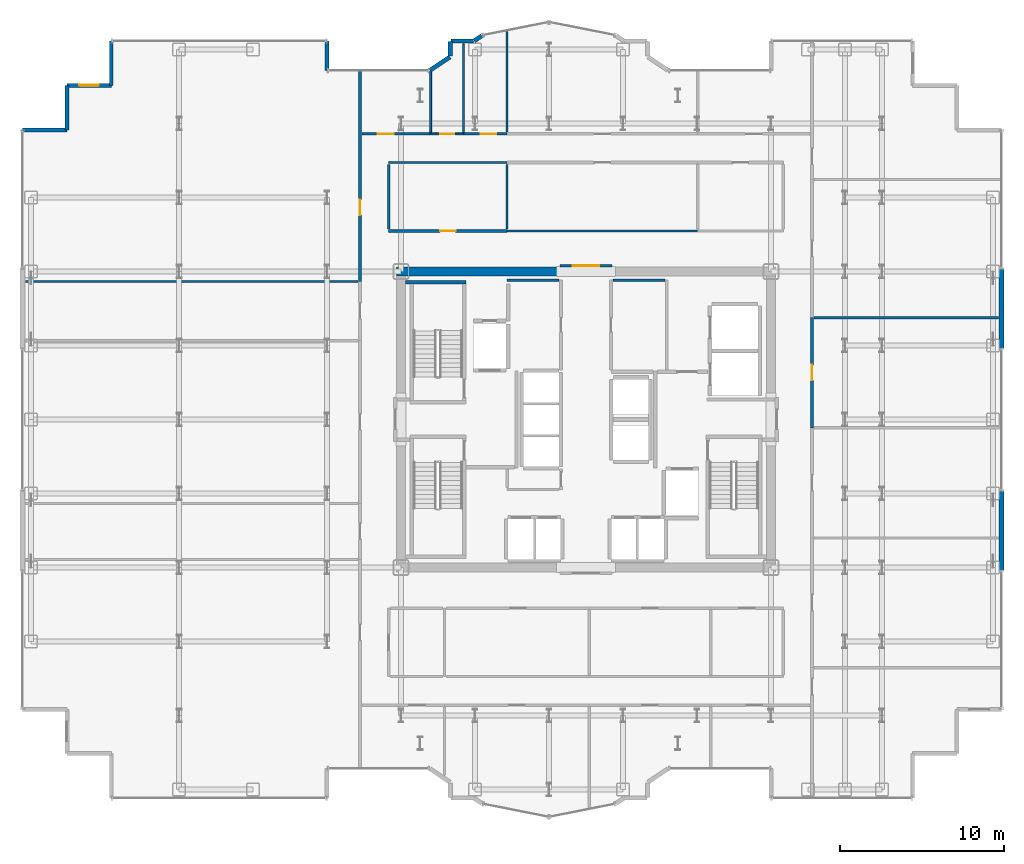
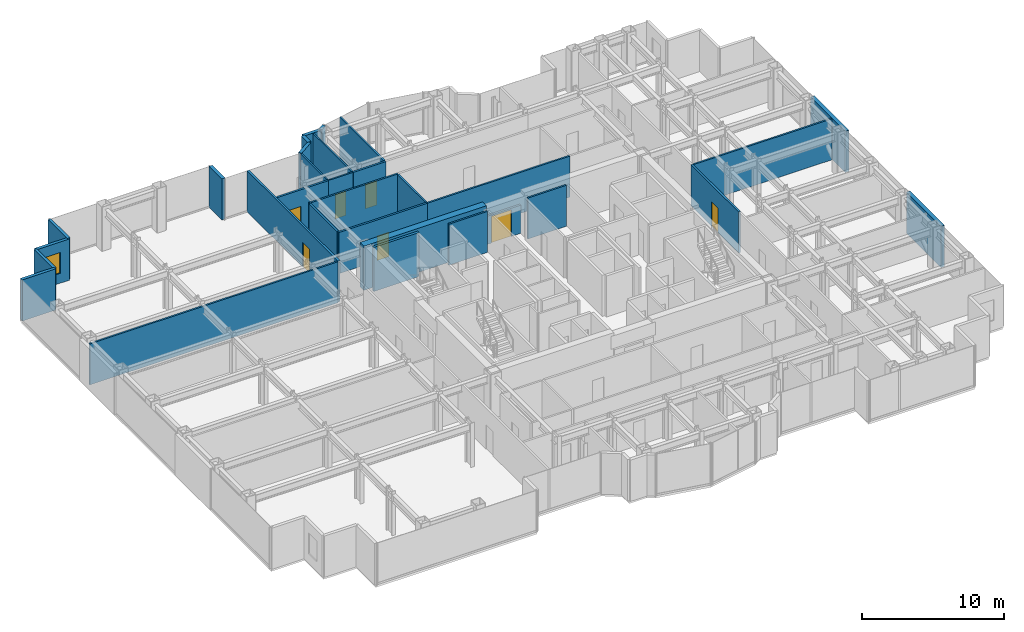
# One storey, part 24 of 26: 31 walls, 7 doors, 1 window, 8 openings.
"""IFC4 building model written with IfcOpenShell, lengths in metres."""

import ifcopenshell
import ifcopenshell.guid

model = None  # the IFC model being written
_history = None  # IfcOwnerHistory: only IFC2X3 demands one
_inside = {}  # id of a spatial element -> (the spatial element, [elements in it])
_under = {}  # id of a project, library or spatial element -> (it, [spatial elements below it])
_declared = {}  # id of a project -> (the project, [libraries it declares])
_typed = {}  # id of a type object -> (the type object, [elements of that type])
_made_of = {}  # id of a material, layer set ... -> (it, [elements and type objects made of it])


def new_model(schema):
    """Start an empty IFC model of exactly this schema.

    Asked for "IFC4X3", IfcOpenShell would pick the latest addendum, in which some entities
    have other attributes; the version numbers below select the first issue.
    IFC2X3 requires an IfcOwnerHistory on every rooted entity: one is made here for all.
    """
    global model, _history
    if schema == "IFC4X3":
        model = ifcopenshell.file(schema_version=(4, 3, 0, 0))
    else:
        model = ifcopenshell.file(schema=schema)
    _inside.clear()
    _under.clear()
    _declared.clear()
    _typed.clear()
    _made_of.clear()
    _history = None
    if model.schema == "IFC2X3":
        org = make("IfcOrganization", Name="unknown")
        user = make(
            "IfcPersonAndOrganization",
            ThePerson=make("IfcPerson", FamilyName="unknown"),
            TheOrganization=org,
        )
        app = make(
            "IfcApplication",
            ApplicationDeveloper=org,
            Version="unknown",
            ApplicationFullName="unknown",
            ApplicationIdentifier="unknown",
        )
        _history = make(
            "IfcOwnerHistory",
            OwningUser=user,
            OwningApplication=app,
            ChangeAction="ADDED",
            CreationDate=0,
        )
    return model


def make(cls, **values):
    """One entity of the class cls with the attributes given. An attribute that is None is left unset."""
    return model.create_entity(
        cls, **{name: value for name, value in values.items() if value is not None}
    )


def rooted(cls, **values):
    """An entity with a GlobalId (a new one), such as an element, a storey or a relation."""
    return make(cls, GlobalId=ifcopenshell.guid.new(), OwnerHistory=_history, **values)


def si_unit(unit_type, name, prefix=None):
    """IfcSIUnit, for example si_unit("LENGTHUNIT", "METRE", prefix="MILLI")."""
    return make("IfcSIUnit", UnitType=unit_type, Prefix=prefix, Name=name)


def assignment(units):
    """IfcUnitAssignment: the units of a project."""
    return None if units is None else make("IfcUnitAssignment", Units=units)


def point(xyz):
    """IfcCartesianPoint."""
    return None if xyz is None else make("IfcCartesianPoint", Coordinates=xyz)


def direction(xyz):
    """IfcDirection."""
    return None if xyz is None else make("IfcDirection", DirectionRatios=xyz)


def frame(location, z_axis=None, x_axis=None):
    """IfcAxis2Placement3D, a coordinate frame: its origin and axes. An axis left out is left unset."""
    return make(
        "IfcAxis2Placement3D",
        Location=point(location),
        Axis=direction(z_axis),
        RefDirection=direction(x_axis),
    )


def frame_2d(location, x_axis=None):
    """IfcAxis2Placement2D, a coordinate frame in the plane: its origin and x axis."""
    return make(
        "IfcAxis2Placement2D", Location=point(location), RefDirection=direction(x_axis)
    )


def origin():
    """The frame at (0, 0, 0) with its axes left unset."""
    return frame((0.0, 0.0, 0.0))


def place(relative_to, where):
    """IfcLocalPlacement: puts the frame where relative to a parent placement (None: the world)."""
    return make(
        "IfcLocalPlacement", PlacementRelTo=relative_to, RelativePlacement=where
    )


def context(
    kind, dimensions, precision=None, world=None, true_north=None, identifier=None
):
    """IfcGeometricRepresentationContext, for example the 3D "Model" context."""
    return make(
        "IfcGeometricRepresentationContext",
        ContextIdentifier=identifier,
        ContextType=kind,
        CoordinateSpaceDimension=dimensions,
        Precision=precision,
        WorldCoordinateSystem=world,
        TrueNorth=true_north,
    )


def subcontext(parent, identifier, kind, view, scale=None):
    """IfcGeometricRepresentationSubContext, for example "Body" below "Model"."""
    return make(
        "IfcGeometricRepresentationSubContext",
        ContextIdentifier=identifier,
        ContextType=kind,
        ParentContext=parent,
        TargetScale=scale,
        TargetView=view,
    )


def project(units=None, contexts=None):
    """IfcProject with its units and contexts."""
    return rooted(
        "IfcProject",
        Name="project",
        RepresentationContexts=contexts,
        UnitsInContext=assignment(units),
    )


def spatial(cls, under=None, at=None, **own):
    """A site, building, storey or space (cls), placed at a placement, below another one or the project."""
    s = rooted(cls, ObjectPlacement=at, **own)
    if under is not None:
        _under.setdefault(under.id(), (under, []))[1].append(s)
    return s


def profile(cls, at=None, kind="AREA", **sizes):
    """A parametric profile (cls). Its sizes go by their IFC names, for example OverallWidth=200.0."""
    return make(cls, ProfileType=kind, Position=at, **sizes)


def rectangle(**sizes):
    """IfcRectangleProfileDef."""
    return profile("IfcRectangleProfileDef", **sizes)


def extrude(swept, where, along, depth):
    """IfcExtrudedAreaSolid: the profile swept, set in the frame where, extruded along a direction by depth."""
    return make(
        "IfcExtrudedAreaSolid",
        SweptArea=swept,
        Position=where,
        ExtrudedDirection=direction(along),
        Depth=depth,
    )


def shape(context_of_items, identifier, shape_type, items):
    """IfcShapeRepresentation: the items that make up one representation, for example the "Body"."""
    return make(
        "IfcShapeRepresentation",
        ContextOfItems=context_of_items,
        RepresentationIdentifier=identifier,
        RepresentationType=shape_type,
        Items=items,
    )


def source(mapping_origin, context_of_items, identifier, shape_type, items):
    """IfcRepresentationMap: a shape defined once, which mapped items show again and again."""
    return make(
        "IfcRepresentationMap",
        MappingOrigin=mapping_origin,
        MappedRepresentation=shape(context_of_items, identifier, shape_type, items),
    )


def transform(
    local_origin,
    x_axis=None,
    y_axis=None,
    z_axis=None,
    scale=None,
    scale2=None,
    scale3=None,
    uniform=True,
):
    """IfcCartesianTransformationOperator3D, or its non-uniform kind. x_axis, y_axis, z_axis: its Axis1, 2, 3."""
    if uniform:
        return make(
            "IfcCartesianTransformationOperator3D",
            Axis1=direction(x_axis),
            Axis2=direction(y_axis),
            LocalOrigin=point(local_origin),
            Scale=scale,
            Axis3=direction(z_axis),
        )
    return make(
        "IfcCartesianTransformationOperator3DnonUniform",
        Axis1=direction(x_axis),
        Axis2=direction(y_axis),
        LocalOrigin=point(local_origin),
        Scale=scale,
        Axis3=direction(z_axis),
        Scale2=scale2,
        Scale3=scale3,
    )


def mapped(mapping_source, mapping_target):
    """IfcMappedItem: shows the shape of a source again, moved by a transform."""
    return make(
        "IfcMappedItem", MappingSource=mapping_source, MappingTarget=mapping_target
    )


def material(Name=None, Category=None):
    """IfcMaterial."""
    return make("IfcMaterial", Name=Name, Category=Category)


def layer(
    of_material, thickness, ventilated=None, Name=None, Category=None, Priority=None
):
    """IfcMaterialLayer: one layer of a wall or slab, of a material (None: an air gap)."""
    return make(
        "IfcMaterialLayer",
        Material=of_material,
        LayerThickness=thickness,
        IsVentilated=ventilated,
        Name=Name,
        Category=Category,
        Priority=Priority,
    )


def layer_set(layers, Name=None):
    """IfcMaterialLayerSet."""
    return make("IfcMaterialLayerSet", MaterialLayers=layers, LayerSetName=Name)


def made_of(thing, what):
    """Note that an element or type object is made of a material, layer set ...; save() writes the relation."""
    if what is not None:
        _made_of.setdefault(what.id(), (what, []))[1].append(thing)
    return thing


def type_object(cls, material=None, **own):
    """A type object (cls), such as IfcWallType, which elements share."""
    return made_of(rooted(cls, **own), material)


def element(
    cls,
    number,
    at=None,
    inside=None,
    cuts=None,
    type_object=None,
    material=None,
    context=None,
    identifier="Body",
    shape_type=None,
    held_by="IfcProductDefinitionShape",
    body=None,
    shapes=None,
    **own,
):
    """One element of the class cls, such as IfcWall. Its Tag is "e" and its number.

    at: its placement. inside: the storey or other place that contains it. cuts: it is an
    opening in that element (IfcRelVoidsElement). A single representation is given by context,
    identifier, shape_type and body (its items); several are given by shapes. held_by: the class
    of the entity that holds the representations. save() writes the other relations.
    """
    e = rooted(cls, Tag="e%d" % number, ObjectPlacement=at, **own)
    if body is not None:
        shapes = [shape(context, identifier, shape_type, body)]
    if shapes is not None:
        e.Representation = make(held_by, Representations=shapes)
    if inside is not None:
        _inside.setdefault(inside.id(), (inside, []))[1].append(e)
    if cuts is not None:
        rooted(
            "IfcRelVoidsElement", RelatingBuildingElement=cuts, RelatedOpeningElement=e
        )
    if type_object is not None:
        _typed.setdefault(type_object.id(), (type_object, []))[1].append(e)
    return made_of(e, material)


def fill(opening, filler):
    """IfcRelFillsElement: the door or window that sits in an opening."""
    return rooted(
        "IfcRelFillsElement",
        RelatingOpeningElement=opening,
        RelatedBuildingElement=filler,
    )


def aggregate(whole, parts):
    """IfcRelAggregates: a whole, such as a stair, and the parts it consists of."""
    return rooted("IfcRelAggregates", RelatingObject=whole, RelatedObjects=parts)


def save(model, path):
    """Write the relations noted so far, then the file.

    IfcRelAggregates (storeys below a building ...), IfcRelContainedInSpatialStructure (elements
    in a storey), IfcRelDefinesByType, IfcRelAssociatesMaterial and IfcRelDeclares: one each for
    every whole, place, type object, material and project.
    """
    for whole, parts in _under.values():
        aggregate(whole, parts)
    for where, things in _inside.values():
        rooted(
            "IfcRelContainedInSpatialStructure",
            RelatedElements=things,
            RelatingStructure=where,
        )
    for kind, things in _typed.values():
        rooted("IfcRelDefinesByType", RelatedObjects=things, RelatingType=kind)
    for what, things in _made_of.values():
        rooted("IfcRelAssociatesMaterial", RelatedObjects=things, RelatingMaterial=what)
    for by, libraries in _declared.values():
        rooted("IfcRelDeclares", RelatingContext=by, RelatedDefinitions=libraries)
    model.write(path)


model = new_model("IFC4")

# Units and contexts
model_context = context("Model", 3, precision=1e-05, world=origin(), true_north=direction((0.0, 1.0)))
body_context = subcontext(model_context, "Body", "Model", "MODEL_VIEW")
ifc_project = project(units=[si_unit("LENGTHUNIT", "METRE"), si_unit("AREAUNIT", "SQUARE_METRE"), si_unit("VOLUMEUNIT", "CUBIC_METRE"), si_unit("PLANEANGLEUNIT", "RADIAN"), si_unit("MASSUNIT", "GRAM", prefix="KILO")], contexts=[model_context])

# Site, building, storey
site_placement = place(None, origin())
site = spatial("IfcSite", under=ifc_project, at=site_placement, CompositionType="ELEMENT")
building_placement = place(site_placement, origin())
building = spatial("IfcBuilding", under=site, at=building_placement, Name="Nefas-Gora Pilgrimage Tower", CompositionType="ELEMENT")
storey_placement = place(building_placement, frame((0.0, 0.0, 160.199951171875)))
storey = spatial("IfcBuildingStorey", under=building, at=storey_placement, Name="L39", CompositionType="ELEMENT", Elevation=160.199951171875)

# Walls
ifc_material_1 = material(Name="Concrete C60/75", Category="concrete")
ifc_layer_1 = layer(ifc_material_1, 0.550048828125)
ifc_layer_set_1 = layer_set([ifc_layer_1], Name="Concrete C60/75")
wall_type_1 = type_object("IfcWallType", Name="SW-CORE-550", PredefinedType="SHEAR", material=ifc_layer_set_1)
shared_shape_1 = source(origin(), body_context, "Body", "SweptSolid", [
    extrude(rectangle(XDim=9.974853515625, YDim=0.550048828125, at=frame_2d((4.9873046875, 0.0))), origin(), (0.0, 0.0, 1.0), 3.800048828125),
])
wall_1_placement = place(storey_placement, frame((-11.52490234375, 9.0, 0.0), z_axis=(0.0, 0.0, 1.0), x_axis=(1.0, 0.0, 0.0)))
element("IfcWall", 1, at=wall_1_placement, inside=storey, type_object=wall_type_1, Name="L39 Core Shear Wall N-West", PredefinedType="SHEAR", context=body_context, shape_type="MappedRepresentation", body=[
    mapped(shared_shape_1, transform((0.0, 0.0, 0.0), x_axis=(1.0, 0.0, 0.0), y_axis=(0.0, 1.0, 0.0), z_axis=(0.0, 0.0, 1.0), scale=1.0)),
])
ifc_material_2 = material(Name="Precast concrete C45/55", Category="concrete")
ifc_layer_2 = layer(ifc_material_2, 0.239990234375)
ifc_layer_set_2 = layer_set([ifc_layer_2], Name="Precast concrete C45/55")
wall_type_2 = type_object("IfcWallType", Name="EW-SERR-240", PredefinedType="SHEAR", material=ifc_layer_set_2)
shared_shape_2 = source(origin(), body_context, "Body", "SweptSolid", [
    extrude(rectangle(XDim=4.8798828125, YDim=0.300048828125, at=frame_2d((2.43994140625, 0.0))), origin(), (0.0, 0.0, 1.0), 3.550048828125),
])
for number, where, z_axis, x_axis, name in (
    (2, (25.27001953125, -9.18994140625, 0.0), (0.0, 0.0, 1.0), (0.0, 1.0, 0.0), "L39 Braced-Tube Precast Shear Cladding 3"),
    (3, (25.27001953125, 4.31005859375, 0.0), (0.0, 0.0, 1.0), (0.0, 1.0, 0.0), "L39 Braced-Tube Precast Shear Cladding 4"),
):
    element("IfcWall", number, at=place(storey_placement, frame(where, z_axis=z_axis, x_axis=x_axis)), inside=storey, type_object=wall_type_2, Name=name, PredefinedType="SHEAR", context=body_context, shape_type="MappedRepresentation", body=[
        mapped(shared_shape_2, transform((0.0, 0.0, 0.0), x_axis=(1.0, 0.0, 0.0), y_axis=(0.0, 1.0, 0.0), z_axis=(0.0, 0.0, 1.0), scale=1.0)),
    ])
ifc_material_3 = material(Name="Precast concrete C40/50", Category="concrete")
ifc_layer_3 = layer(ifc_material_3, 0.260009765625)
ifc_layer_set_3 = layer_set([ifc_layer_3], Name="Precast concrete C40/50")
wall_type_3 = type_object("IfcWallType", Name="EW-PORTAL-260", PredefinedType="SOLIDWALL", material=ifc_layer_set_3)
shared_shape_3 = source(origin(), body_context, "Body", "SweptSolid", [
    extrude(rectangle(XDim=1.800048828125, YDim=0.260009765625, at=frame_2d((0.89990234375, 0.0))), origin(), (0.0, 0.0, 1.0), 3.550048828125),
])
wall_2_placement = place(storey_placement, frame((-15.75, 21.219970703125, 0.0), z_axis=(0.0, 0.0, 1.0), x_axis=(0.0, 1.0, 0.0)))
element("IfcWall", 4, at=wall_2_placement, inside=storey, type_object=wall_type_3, Name="L39 Lobe Shoulder Precast Spandrel Pier 23", PredefinedType="SOLIDWALL", context=body_context, shape_type="MappedRepresentation", body=[
    mapped(shared_shape_3, transform((0.0, 0.0, 0.0), x_axis=(1.0, 0.0, 0.0), y_axis=(0.0, 1.0, 0.0), z_axis=(0.0, 0.0, 1.0), scale=1.0)),
])
shared_shape_4 = source(origin(), body_context, "Body", "SweptSolid", [
    extrude(rectangle(XDim=2.699951171875, YDim=0.239990234375, at=frame_2d((1.35009765625, 0.0))), origin(), (0.0, 0.0, 1.0), 3.550048828125),
])
wall_3_placement = place(storey_placement, frame((-28.8701171875, 23.02001953125, 0.0), z_axis=(0.0, 0.0, 1.0), x_axis=(0.0, -1.0, 0.0)))
element("IfcWall", 5, at=wall_3_placement, inside=storey, type_object=wall_type_2, Name="L39 Serrated Corner Shear Pier Wall 24", PredefinedType="SHEAR", context=body_context, shape_type="MappedRepresentation", body=[
    mapped(shared_shape_4, transform((0.0, 0.0, 0.0), x_axis=(1.0, 0.0, 0.0), y_axis=(0.0, 1.0, 0.0), z_axis=(0.0, 0.0, 1.0), scale=1.0)),
])

# Wall, opening, window
wall_4_placement = place(storey_placement, frame((-28.8701171875, 20.320068359375, 0.0), z_axis=(0.0, 0.0, 1.0), x_axis=(-1.0, 0.0, 0.0)))
wall_4 = element("IfcWall", 6, at=wall_4_placement, inside=storey, type_object=wall_type_2, Name="L39 Serrated Corner Shear Pier Wall 25", PredefinedType="SHEAR", context=body_context, shape_type="MappedRepresentation", body=[
    mapped(shared_shape_4, transform((0.0, 0.0, 0.0), x_axis=(1.0, 0.0, 0.0), y_axis=(0.0, 1.0, 0.0), z_axis=(0.0, 0.0, 1.0), scale=1.0)),
])
opening_1_placement = place(wall_4_placement, frame((0.75, 0.0, 0.85009765625)))
opening_1 = element("IfcOpeningElement", 7, at=opening_1_placement, cuts=wall_4, Name="Opening W-V1", PredefinedType="OPENING", context=body_context, shape_type="SweptSolid", body=[
    extrude(rectangle(XDim=1.199951171875, YDim=1.800048828125, at=frame_2d((0.60009765625, 0.89990234375))), frame((0.0, 0.1298828125, 0.0), z_axis=(0.0, -1.0, 0.0), x_axis=(1.0, 0.0, 0.0)), (0.0, 0.0, 1.0), 0.260009765625),
])
ifc_material_4 = material(Name="Dark ceramic-fritted operable aluminium-glass window", Category="aluminium")
window_type = type_object("IfcWindowType", Name="WIN-VENT-1200x1800", PartitioningType="SINGLE_PANEL", PredefinedType="WINDOW", material=ifc_material_4)
shared_shape_5 = source(origin(), body_context, "Body", "SweptSolid", [
    extrude(rectangle(XDim=1.199951171875, YDim=1.800048828125, at=frame_2d((0.60009765625, 0.89990234375))), frame((0.0, 0.030029296875, 0.0), z_axis=(0.0, -1.0, 0.0), x_axis=(1.0, 0.0, 0.0)), (0.0, 0.0, 1.0), 0.06005859375),
])
window_placement = place(opening_1_placement, origin())
window = element("IfcWindow", 8, at=window_placement, inside=storey, type_object=window_type, Name="L39 Operable Parallel-Outswing Window 25", OverallHeight=1.800048828125, OverallWidth=1.199951171875, PartitioningType="SINGLE_PANEL", PredefinedType="WINDOW", context=body_context, shape_type="MappedRepresentation", body=[
    mapped(shared_shape_5, transform((0.0, 0.0, 0.0), x_axis=(1.0, 0.0, 0.0), y_axis=(0.0, 1.0, 0.0), z_axis=(0.0, 0.0, 1.0), scale=1.0)),
])
fill(opening_1, window)

# Walls
for number, where, z_axis, x_axis, name in (
    (9, (-31.570068359375, 20.320068359375, 0.0), (0.0, 0.0, 1.0), (0.0, -1.0, 0.0), "L39 Serrated Corner Shear Pier Wall 26"),
    (10, (-31.570068359375, 17.6201171875, 0.0), (0.0, 0.0, 1.0), (-1.0, 0.0, 0.0), "L39 Serrated Corner Shear Pier Wall 27"),
):
    element("IfcWall", number, at=place(storey_placement, frame(where, z_axis=z_axis, x_axis=x_axis)), inside=storey, type_object=wall_type_2, Name=name, PredefinedType="SHEAR", context=body_context, shape_type="MappedRepresentation", body=[
        mapped(shared_shape_4, transform((0.0, 0.0, 0.0), x_axis=(1.0, 0.0, 0.0), y_axis=(0.0, 1.0, 0.0), z_axis=(0.0, 0.0, 1.0), scale=1.0)),
    ])
shared_shape_6 = source(origin(), body_context, "Body", "SweptSolid", [
    extrude(rectangle(XDim=1.468994140625, YDim=0.260009765625, at=frame_2d((0.734375, 0.0))), origin(), (0.0, 0.0, 1.0), 3.550048828125),
])
wall_5_placement = place(storey_placement, frame((-8.273193359375, 22.0517578125, 0.0), z_axis=(0.0, 0.0, 1.0), x_axis=(-0.831461760506, -0.555581983884, 0.0)))
element("IfcWall", 11, at=wall_5_placement, inside=storey, type_object=wall_type_3, Name="L39 Lobe Shoulder Precast Spandrel Pier 22", PredefinedType="SOLIDWALL", context=body_context, shape_type="MappedRepresentation", body=[
    mapped(shared_shape_6, transform((0.0, 0.0, 0.0), x_axis=(1.0, 0.0, 0.0), y_axis=(0.0, 1.0, 0.0), z_axis=(0.0, 0.0, 1.0), scale=1.0)),
])
shared_shape_7 = source(origin(), body_context, "Body", "SweptSolid", [
    extrude(rectangle(XDim=0.896728515625, YDim=0.260009765625, at=frame_2d((0.4482421875, 0.0))), origin(), (0.0, 0.0, 1.0), 3.550048828125),
])
wall_6_placement = place(storey_placement, frame((-8.25, 22.991943359375, 0.0), z_axis=(0.0, 0.0, 1.0), x_axis=(0.0, -1.0, 0.0)))
element("IfcWall", 12, at=wall_6_placement, inside=storey, type_object=wall_type_3, Name="L39 Lobe Shoulder Precast Spandrel Pier 21", PredefinedType="SOLIDWALL", context=body_context, shape_type="MappedRepresentation", body=[
    mapped(shared_shape_7, transform((0.0, 0.0, 0.0), x_axis=(1.0, 0.0, 0.0), y_axis=(0.0, 1.0, 0.0), z_axis=(0.0, 0.0, 1.0), scale=1.0)),
])
shared_shape_8 = source(origin(), body_context, "Body", "SweptSolid", [
    extrude(rectangle(XDim=1.369873046875, YDim=0.260009765625, at=frame_2d((0.68505859375, 0.0))), origin(), (0.0, 0.0, 1.0), 3.550048828125),
])
wall_7_placement = place(storey_placement, frame((-6.85205078125, 23.02001953125, 0.0), z_axis=(0.0, 0.0, 1.0), x_axis=(-1.0, 0.0, 0.0)))
element("IfcWall", 13, at=wall_7_placement, inside=storey, type_object=wall_type_3, Name="L39 Lobe Shoulder Precast Spandrel Pier 20", PredefinedType="SOLIDWALL", context=body_context, shape_type="MappedRepresentation", body=[
    mapped(shared_shape_8, transform((0.0, 0.0, 0.0), x_axis=(1.0, 0.0, 0.0), y_axis=(0.0, 1.0, 0.0), z_axis=(0.0, 0.0, 1.0), scale=1.0)),
])
shared_shape_9 = source(origin(), body_context, "Body", "SweptSolid", [
    extrude(rectangle(XDim=0.5654296875, YDim=0.260009765625, at=frame_2d((0.28271484375, 0.0))), origin(), (0.0, 0.0, 1.0), 3.550048828125),
])
wall_8_placement = place(storey_placement, frame((-6.33056640625, 23.349609375, 0.0), z_axis=(0.0, 0.0, 1.0), x_axis=(-0.831651492666, -0.555297933317, 0.0)))
element("IfcWall", 14, at=wall_8_placement, inside=storey, type_object=wall_type_3, Name="L39 Lobe Shoulder Precast Spandrel Pier 19", PredefinedType="SOLIDWALL", context=body_context, shape_type="MappedRepresentation", body=[
    mapped(shared_shape_9, transform((0.0, 0.0, 0.0), x_axis=(1.0, 0.0, 0.0), y_axis=(0.0, 1.0, 0.0), z_axis=(0.0, 0.0, 1.0), scale=1.0)),
])
ifc_material_5 = material(Name="Concrete C45/55", Category="concrete")
ifc_layer_4 = layer(ifc_material_5, 0.199951171875)
ifc_layer_set_4 = layer_set([ifc_layer_4], Name="Concrete C45/55")
wall_type_4 = type_object("IfcWallType", Name="IW-STAIR-200", PredefinedType="SOLIDWALL", material=ifc_layer_set_4)
shared_shape_10 = source(origin(), body_context, "Body", "SweptSolid", [
    extrude(rectangle(XDim=3.679931640625, YDim=0.199951171875, at=frame_2d((1.83984375, 0.0))), origin(), (0.0, 0.0, 1.0), 3.800048828125),
])
wall_9_placement = place(storey_placement, frame((-7.300048828125, 8.35009765625, 0.0), z_axis=(0.0, 0.0, 1.0), x_axis=(-1.0, 0.0, 0.0)))
element("IfcWall", 15, at=wall_9_placement, inside=storey, type_object=wall_type_4, Name="L39 Stairwell Shear Wall ST-01-far", PredefinedType="SOLIDWALL", context=body_context, shape_type="MappedRepresentation", body=[
    mapped(shared_shape_10, transform((0.0, 0.0, 0.0), x_axis=(1.0, 0.0, 0.0), y_axis=(0.0, 1.0, 0.0), z_axis=(0.0, 0.0, 1.0), scale=1.0)),
])
ifc_material_6 = material(Name="Gypsum twin-stud partition")
ifc_layer_5 = layer(ifc_material_6, 0.139892578125)
ifc_layer_set_5 = layer_set([ifc_layer_5], Name="Gypsum twin-stud partition")
wall_type_5 = type_object("IfcWallType", Name="IW-UNIT-140", PredefinedType="PARTITIONING", material=ifc_layer_set_5)
shared_shape_11 = source(origin(), body_context, "Body", "SweptSolid", [
    extrude(rectangle(XDim=3.150146484375, YDim=0.139892578125, at=frame_2d((1.5751953125, 0.0))), origin(), (0.0, 0.0, 1.0), 3.53515625),
])
for number, where, z_axis, x_axis, name in (
    (16, (-4.7900390625, 8.47998046875, 0.0), (0.0, 0.0, 1.0), (1.0, 0.0, 0.0), "L39 Housekeeping and Linen Store Partition Wall 19"),
    (17, (1.639892578125, 8.47998046875, 0.0), (0.0, 0.0, 1.0), (1.0, 0.0, 0.0), "L39 Freed Bank-1 Amenity Supply Store Partition Wall 24"),
):
    element("IfcWall", number, at=place(storey_placement, frame(where, z_axis=z_axis, x_axis=x_axis)), inside=storey, type_object=wall_type_5, Name=name, PredefinedType="PARTITIONING", context=body_context, shape_type="MappedRepresentation", body=[
        mapped(shared_shape_11, transform((0.0, 0.0, 0.0), x_axis=(1.0, 0.0, 0.0), y_axis=(0.0, 1.0, 0.0), z_axis=(0.0, 0.0, 1.0), scale=1.0)),
    ])

# Wall, opening, door
ifc_material_7 = material(Name="Moisture-resistant fire-rated gypsum partition")
ifc_layer_6 = layer(ifc_material_7, 0.1201171875)
ifc_layer_set_6 = layer_set([ifc_layer_6], Name="Moisture-resistant fire-rated gypsum partition")
wall_type_6 = type_object("IfcWallType", Name="IW-WET-120", PredefinedType="PLUMBINGWALL", material=ifc_layer_set_6)
shared_shape_12 = source(origin(), body_context, "Body", "SweptSolid", [
    extrude(rectangle(XDim=2.02001953125, YDim=0.1201171875, at=frame_2d((1.010009765625, 0.0))), origin(), (0.0, 0.0, 1.0), 3.53515625),
])
wall_10_placement = place(storey_placement, frame((-9.4599609375, 17.3701171875, 0.0), z_axis=(0.0, 0.0, 1.0), x_axis=(1.0, 0.0, 0.0)))
wall_10 = element("IfcWall", 18, at=wall_10_placement, inside=storey, type_object=wall_type_6, Name="L39 Accessible Unisex WC Partition Wall 25", PredefinedType="PLUMBINGWALL", context=body_context, shape_type="MappedRepresentation", body=[
    mapped(shared_shape_12, transform((0.0, 0.0, 0.0), x_axis=(1.0, 0.0, 0.0), y_axis=(0.0, 1.0, 0.0), z_axis=(0.0, 0.0, 1.0), scale=1.0)),
])
opening_2_placement = place(wall_10_placement, frame((0.5849609375, 0.0, 0.0)))
opening_2 = element("IfcOpeningElement", 19, at=opening_2_placement, cuts=wall_10, Name="Opening ID-BT1", PredefinedType="OPENING", context=body_context, shape_type="SweptSolid", body=[
    extrude(rectangle(XDim=0.85009765625, YDim=2.10009765625, at=frame_2d((0.425048828125, 1.050048828125))), frame((0.0, 0.070068359375, 0.0), z_axis=(0.0, -1.0, 0.0), x_axis=(1.0, 0.0, 0.0)), (0.0, 0.0, 1.0), 0.14013671875),
])
ifc_material_8 = material(Name="Moisture-resistant fire-rated timber door", Category="wood")
door_type_1 = type_object("IfcDoorType", Name="DR-INT-BATH-850", OperationType="NOTDEFINED", PredefinedType="DOOR", material=ifc_material_8)
shared_shape_13 = source(origin(), body_context, "Body", "SweptSolid", [
    extrude(rectangle(XDim=0.85009765625, YDim=2.10009765625, at=frame_2d((0.425048828125, 1.050048828125))), frame((0.0, 0.02490234375, 0.0), z_axis=(0.0, -1.0, 0.0), x_axis=(1.0, 0.0, 0.0)), (0.0, 0.0, 1.0), 0.050048828125),
])
door_1_placement = place(opening_2_placement, origin())
door_1 = element("IfcDoor", 20, at=door_1_placement, inside=storey, type_object=door_type_1, Name="L39 Accessible Unisex WC Door 10", OperationType="SINGLE_SWING_LEFT", OverallHeight=2.10009765625, OverallWidth=0.85009765625, PredefinedType="DOOR", context=body_context, shape_type="MappedRepresentation", body=[
    mapped(shared_shape_13, transform((0.0, 0.0, 0.0), x_axis=(1.0, 0.0, 0.0), y_axis=(0.0, 1.0, 0.0), z_axis=(0.0, 0.0, 1.0), scale=1.0)),
])
fill(opening_2, door_1)

# Wall
shared_shape_14 = source(origin(), body_context, "Body", "SweptSolid", [
    extrude(rectangle(XDim=20.219970703125, YDim=0.139892578125, at=frame_2d((10.10986328125, 0.0))), origin(), (0.0, 0.0, 1.0), 3.53515625),
])
wall_11_placement = place(storey_placement, frame((-34.080078125, 8.39501953125, 0.0), z_axis=(0.0, 0.0, 1.0), x_axis=(1.0, 0.0, 0.0)))
element("IfcWall", 21, at=wall_11_placement, inside=storey, type_object=wall_type_5, Name="L39 Pilgrim Fellowship Seminar Room Partition Wall 35", PredefinedType="PARTITIONING", context=body_context, shape_type="MappedRepresentation", body=[
    mapped(shared_shape_14, transform((0.0, 0.0, 0.0), x_axis=(1.0, 0.0, 0.0), y_axis=(0.0, 1.0, 0.0), z_axis=(0.0, 0.0, 1.0), scale=1.0)),
])

# Wall, opening, door
ifc_material_9 = material(Name="Gypsum acoustic stud partition")
ifc_layer_7 = layer(ifc_material_9, 0.159912109375)
ifc_layer_set_7 = layer_set([ifc_layer_7], Name="Gypsum acoustic stud partition")
wall_type_7 = type_object("IfcWallType", Name="IW-CORR-160", PredefinedType="PARTITIONING", material=ifc_layer_set_7)
shared_shape_15 = source(origin(), body_context, "Body", "SweptSolid", [
    extrude(rectangle(XDim=12.844970703125, YDim=0.159912109375, at=frame_2d((6.42236328125, 0.0))), origin(), (0.0, 0.0, 1.0), 3.53515625),
])
wall_12_placement = place(storey_placement, frame((-13.739990234375, 8.39501953125, 0.0), z_axis=(0.0, 0.0, 1.0), x_axis=(0.0, 1.0, 0.0)))
wall_12 = element("IfcWall", 22, at=wall_12_placement, inside=storey, type_object=wall_type_7, Name="L39 Pilgrim Fellowship Seminar Room Partition Wall 36", PredefinedType="PARTITIONING", context=body_context, shape_type="MappedRepresentation", body=[
    mapped(shared_shape_15, transform((0.0, 0.0, 0.0), x_axis=(1.0, 0.0, 0.0), y_axis=(0.0, 1.0, 0.0), z_axis=(0.0, 0.0, 1.0), scale=1.0)),
])
opening_3_placement = place(wall_12_placement, frame((4.032470703125, 0.0, 0.0)))
opening_3 = element("IfcOpeningElement", 23, at=opening_3_placement, cuts=wall_12, Name="Opening ID-GR1", PredefinedType="OPENING", context=body_context, shape_type="SweptSolid", body=[
    extrude(rectangle(XDim=0.949951171875, YDim=2.10009765625, at=frame_2d((0.47509765625, 1.050048828125))), frame((0.0, 0.08984375, 0.0), z_axis=(0.0, -1.0, 0.0), x_axis=(1.0, 0.0, 0.0)), (0.0, 0.0, 1.0), 0.179931640625),
])
ifc_material_10 = material(Name="Solid core oak fire-rated guest entrance door")
door_type_2 = type_object("IfcDoorType", Name="DR-INT-GUEST-950", OperationType="NOTDEFINED", PredefinedType="DOOR", material=ifc_material_10)
shared_shape_16 = source(origin(), body_context, "Body", "SweptSolid", [
    extrude(rectangle(XDim=0.949951171875, YDim=2.10009765625, at=frame_2d((0.47509765625, 1.050048828125))), frame((0.0, 0.02490234375, 0.0), z_axis=(0.0, -1.0, 0.0), x_axis=(1.0, 0.0, 0.0)), (0.0, 0.0, 1.0), 0.050048828125),
])
door_2_placement = place(opening_3_placement, origin())
door_2 = element("IfcDoor", 24, at=door_2_placement, inside=storey, type_object=door_type_2, Name="L39 Pilgrim Fellowship Seminar Room Door 15", OperationType="SINGLE_SWING_RIGHT", OverallHeight=2.10009765625, OverallWidth=0.949951171875, PredefinedType="DOOR", context=body_context, shape_type="MappedRepresentation", body=[
    mapped(shared_shape_16, transform((0.0, 0.0, 0.0), x_axis=(1.0, 0.0, 0.0), y_axis=(0.0, 1.0, 0.0), z_axis=(0.0, 0.0, 1.0), scale=1.0)),
])
fill(opening_3, door_2)

shared_shape_17 = source(origin(), body_context, "Body", "SweptSolid", [
    extrude(rectangle(XDim=3.16015625, YDim=0.159912109375, at=frame_2d((1.580078125, 0.0))), origin(), (0.0, 0.0, 1.0), 2.425048828125),
])
wall_13_placement = place(storey_placement, frame((-1.580078125, 9.35009765625, 0.0), z_axis=(0.0, 0.0, 1.0), x_axis=(1.0, 0.0, 0.0)))
wall_13 = element("IfcWall", 25, at=wall_13_placement, inside=storey, type_object=wall_type_7, Name="L39 Central Lift Lobby North Portal Wall 15", PredefinedType="PARTITIONING", context=body_context, shape_type="MappedRepresentation", body=[
    mapped(shared_shape_17, transform((0.0, 0.0, 0.0), x_axis=(1.0, 0.0, 0.0), y_axis=(0.0, 1.0, 0.0), z_axis=(0.0, 0.0, 1.0), scale=1.0)),
])
opening_4_placement = place(wall_13_placement, frame((0.780029296875, 0.0, 0.0)))
opening_4 = element("IfcOpeningElement", 26, at=opening_4_placement, cuts=wall_13, Name="Opening ID-HL1", PredefinedType="OPENING", context=body_context, shape_type="SweptSolid", body=[
    extrude(rectangle(XDim=1.60009765625, YDim=2.300048828125, at=frame_2d((0.800048828125, 1.14990234375))), frame((0.0, 0.08984375, 0.0), z_axis=(0.0, -1.0, 0.0), x_axis=(1.0, 0.0, 0.0)), (0.0, 0.0, 1.0), 0.179931640625),
])
ifc_material_11 = material(Name="Double acoustic timber assembly hall door", Category="wood")
door_type_3 = type_object("IfcDoorType", Name="DR-INT-HALL-1600", OperationType="DOUBLE_DOOR_SINGLE_SWING", PredefinedType="DOOR", material=ifc_material_11)
shared_shape_18 = source(origin(), body_context, "Body", "SweptSolid", [
    extrude(rectangle(XDim=1.60009765625, YDim=2.300048828125, at=frame_2d((0.800048828125, 1.14990234375))), frame((0.0, 0.02490234375, 0.0), z_axis=(0.0, -1.0, 0.0), x_axis=(1.0, 0.0, 0.0)), (0.0, 0.0, 1.0), 0.050048828125),
])
door_3_placement = place(opening_4_placement, origin())
door_3 = element("IfcDoor", 27, at=door_3_placement, inside=storey, type_object=door_type_3, Name="L39 Central Lift Lobby North Portal Door 5", OperationType="DOUBLE_DOOR_SINGLE_SWING", OverallHeight=2.300048828125, OverallWidth=1.60009765625, PredefinedType="DOOR", context=body_context, shape_type="MappedRepresentation", body=[
    mapped(shared_shape_18, transform((0.0, 0.0, 0.0), x_axis=(1.0, 0.0, 0.0), y_axis=(0.0, 1.0, 0.0), z_axis=(0.0, 0.0, 1.0), scale=1.0)),
])
fill(opening_4, door_3)

# Walls
shared_shape_19 = source(origin(), body_context, "Body", "SweptSolid", [
    extrude(rectangle(XDim=5.380126953125, YDim=0.1201171875, at=frame_2d((2.68994140625, 0.0))), origin(), (0.0, 0.0, 1.0), 3.53515625),
])
wall_14_placement = place(storey_placement, frame((-7.449951171875, 17.469970703125, 0.0), z_axis=(0.0, 0.0, 1.0), x_axis=(0.0, 1.0, 0.0)))
element("IfcWall", 28, at=wall_14_placement, inside=storey, type_object=wall_type_6, Name="L39 Accessible Unisex WC Partition Wall 26", PredefinedType="PLUMBINGWALL", context=body_context, shape_type="MappedRepresentation", body=[
    mapped(shared_shape_19, transform((0.0, 0.0, 0.0), x_axis=(1.0, 0.0, 0.0), y_axis=(0.0, 1.0, 0.0), z_axis=(0.0, 0.0, 1.0), scale=1.0)),
])
shared_shape_20 = source(origin(), body_context, "Body", "SweptSolid", [
    extrude(rectangle(XDim=3.686767578125, YDim=0.1201171875, at=frame_2d((1.84326171875, 0.0))), origin(), (0.0, 0.0, 1.0), 3.53515625),
])
wall_15_placement = place(storey_placement, frame((-9.449951171875, 17.469970703125, 0.0), z_axis=(0.0, 0.0, 1.0), x_axis=(0.0, 1.0, 0.0)))
element("IfcWall", 29, at=wall_15_placement, inside=storey, type_object=wall_type_6, Name="L39 Accessible Unisex WC Partition Wall 27", PredefinedType="PLUMBINGWALL", context=body_context, shape_type="MappedRepresentation", body=[
    mapped(shared_shape_20, transform((0.0, 0.0, 0.0), x_axis=(1.0, 0.0, 0.0), y_axis=(0.0, 1.0, 0.0), z_axis=(0.0, 0.0, 1.0), scale=1.0)),
])
shared_shape_21 = source(origin(), body_context, "Body", "SweptSolid", [
    extrude(rectangle(XDim=3.929931640625, YDim=0.139892578125, at=frame_2d((1.96484375, 0.0))), origin(), (0.0, 0.0, 1.0), 3.53515625),
])
for number, where, z_axis, x_axis, name in (
    (30, (-12.0, 11.590087890625, 0.0), (0.0, 0.0, 1.0), (0.0, 1.0, 0.0), "L39 Pastoral Chaplains Counselling Office Partition Wall 50"),
    (31, (-4.804931640625, 11.590087890625, 0.0), (0.0, 0.0, 1.0), (0.0, 1.0, 0.0), "L39 Pastoral Chaplains Counselling Office Partition Wall 51"),
):
    element("IfcWall", number, at=place(storey_placement, frame(where, z_axis=z_axis, x_axis=x_axis)), inside=storey, type_object=wall_type_5, Name=name, PredefinedType="PARTITIONING", context=body_context, shape_type="MappedRepresentation", body=[
        mapped(shared_shape_21, transform((0.0, 0.0, 0.0), x_axis=(1.0, 0.0, 0.0), y_axis=(0.0, 1.0, 0.0), z_axis=(0.0, 0.0, 1.0), scale=1.0)),
    ])

# Wall, opening, door
shared_shape_22 = source(origin(), body_context, "Body", "SweptSolid", [
    extrude(rectangle(XDim=4.16015625, YDim=0.159912109375, at=frame_2d((2.080078125, 0.0))), origin(), (0.0, 0.0, 1.0), 3.53515625),
])
wall_16_placement = place(storey_placement, frame((-13.6201171875, 17.3701171875, 0.0), z_axis=(0.0, 0.0, 1.0), x_axis=(1.0, 0.0, 0.0)))
wall_16 = element("IfcWall", 32, at=wall_16_placement, inside=storey, type_object=wall_type_7, Name="L39 Pilgrim Contemplative Lounge Partition Wall 54", PredefinedType="PARTITIONING", context=body_context, shape_type="MappedRepresentation", body=[
    mapped(shared_shape_22, transform((0.0, 0.0, 0.0), x_axis=(1.0, 0.0, 0.0), y_axis=(0.0, 1.0, 0.0), z_axis=(0.0, 0.0, 1.0), scale=1.0)),
])
opening_5_placement = place(wall_16_placement, frame((0.968994140625, 0.0, 0.0)))
opening_5 = element("IfcOpeningElement", 33, at=opening_5_placement, cuts=wall_16, Name="Opening ID-GR1", PredefinedType="OPENING", context=body_context, shape_type="SweptSolid", body=[
    extrude(rectangle(XDim=0.949951171875, YDim=2.10009765625, at=frame_2d((0.47509765625, 1.050048828125))), frame((0.0, 0.08984375, 0.0), z_axis=(0.0, -1.0, 0.0), x_axis=(1.0, 0.0, 0.0)), (0.0, 0.0, 1.0), 0.179931640625),
])
door_4_placement = place(opening_5_placement, origin())
door_4 = element("IfcDoor", 34, at=door_4_placement, inside=storey, type_object=door_type_2, Name="L39 Pilgrim Contemplative Lounge Door 24", OperationType="SINGLE_SWING_LEFT", OverallHeight=2.10009765625, OverallWidth=0.949951171875, PredefinedType="DOOR", context=body_context, shape_type="MappedRepresentation", body=[
    mapped(shared_shape_16, transform((0.0, 0.0, 0.0), x_axis=(1.0, 0.0, 0.0), y_axis=(0.0, 1.0, 0.0), z_axis=(0.0, 0.0, 1.0), scale=1.0)),
])
fill(opening_5, door_4)

# Wall
shared_shape_23 = source(origin(), body_context, "Body", "SweptSolid", [
    extrude(rectangle(XDim=11.219970703125, YDim=0.139892578125, at=frame_2d((5.60986328125, 0.0))), origin(), (0.0, 0.0, 1.0), 3.53515625),
])
wall_17_placement = place(storey_placement, frame((13.860107421875, 6.195068359375, 0.0), z_axis=(0.0, 0.0, 1.0), x_axis=(1.0, 0.0, 0.0)))
element("IfcWall", 35, at=wall_17_placement, inside=storey, type_object=wall_type_5, Name="L39 Pilgrim Contemplative Lounge Partition Wall 42", PredefinedType="PARTITIONING", context=body_context, shape_type="MappedRepresentation", body=[
    mapped(shared_shape_23, transform((0.0, 0.0, 0.0), x_axis=(1.0, 0.0, 0.0), y_axis=(0.0, 1.0, 0.0), z_axis=(0.0, 0.0, 1.0), scale=1.0)),
])

# Wall, opening, door
shared_shape_24 = source(origin(), body_context, "Body", "SweptSolid", [
    extrude(rectangle(XDim=6.705078125, YDim=0.159912109375, at=frame_2d((3.3525390625, 0.0))), origin(), (0.0, 0.0, 1.0), 3.53515625),
])
wall_18_placement = place(storey_placement, frame((13.739990234375, -0.5, 0.0), z_axis=(0.0, 0.0, 1.0), x_axis=(0.0, 1.0, 0.0)))
wall_18 = element("IfcWall", 36, at=wall_18_placement, inside=storey, type_object=wall_type_7, Name="L39 Pilgrim Contemplative Lounge Partition Wall 41", PredefinedType="PARTITIONING", context=body_context, shape_type="MappedRepresentation", body=[
    mapped(shared_shape_24, transform((0.0, 0.0, 0.0), x_axis=(1.0, 0.0, 0.0), y_axis=(0.0, 1.0, 0.0), z_axis=(0.0, 0.0, 1.0), scale=1.0)),
])
opening_6_placement = place(wall_18_placement, frame((2.87744140625, 0.0, 0.0)))
opening_6 = element("IfcOpeningElement", 37, at=opening_6_placement, cuts=wall_18, Name="Opening ID-GR1", PredefinedType="OPENING", context=body_context, shape_type="SweptSolid", body=[
    extrude(rectangle(XDim=0.949951171875, YDim=2.10009765625, at=frame_2d((0.47509765625, 1.050048828125))), frame((0.0, 0.08984375, 0.0), z_axis=(0.0, -1.0, 0.0), x_axis=(1.0, 0.0, 0.0)), (0.0, 0.0, 1.0), 0.179931640625),
])
door_5_placement = place(opening_6_placement, origin())
door_5 = element("IfcDoor", 38, at=door_5_placement, inside=storey, type_object=door_type_2, Name="L39 Pilgrim Contemplative Lounge Door 18", OperationType="SINGLE_SWING_LEFT", OverallHeight=2.10009765625, OverallWidth=0.949951171875, PredefinedType="DOOR", context=body_context, shape_type="MappedRepresentation", body=[
    mapped(shared_shape_16, transform((0.0, 0.0, 0.0), x_axis=(1.0, 0.0, 0.0), y_axis=(0.0, 1.0, 0.0), z_axis=(0.0, 0.0, 1.0), scale=1.0)),
])
fill(opening_6, door_5)

shared_shape_25 = source(origin(), body_context, "Body", "SweptSolid", [
    extrude(rectangle(XDim=7.215087890625, YDim=0.159912109375, at=frame_2d((3.607421875, 0.0))), origin(), (0.0, 0.0, 1.0), 3.53515625),
])
wall_19_placement = place(storey_placement, frame((-12.010009765625, 11.469970703125, 0.0), z_axis=(0.0, 0.0, 1.0), x_axis=(1.0, 0.0, 0.0)))
wall_19 = element("IfcWall", 39, at=wall_19_placement, inside=storey, type_object=wall_type_7, Name="L39 Pastoral Chaplains Counselling Office Partition Wall 48", PredefinedType="PARTITIONING", context=body_context, shape_type="MappedRepresentation", body=[
    mapped(shared_shape_25, transform((0.0, 0.0, 0.0), x_axis=(1.0, 0.0, 0.0), y_axis=(0.0, 1.0, 0.0), z_axis=(0.0, 0.0, 1.0), scale=1.0)),
])
opening_7_placement = place(wall_19_placement, frame((3.132568359375, 0.0, 0.0)))
opening_7 = element("IfcOpeningElement", 40, at=opening_7_placement, cuts=wall_19, Name="Opening ID-GR1", PredefinedType="OPENING", context=body_context, shape_type="SweptSolid", body=[
    extrude(rectangle(XDim=0.949951171875, YDim=2.10009765625, at=frame_2d((0.47509765625, 1.050048828125))), frame((0.0, 0.08984375, 0.0), z_axis=(0.0, -1.0, 0.0), x_axis=(1.0, 0.0, 0.0)), (0.0, 0.0, 1.0), 0.179931640625),
])
door_6_placement = place(opening_7_placement, origin())
door_6 = element("IfcDoor", 41, at=door_6_placement, inside=storey, type_object=door_type_2, Name="L39 Pastoral Chaplains Counselling Office Door 22", OperationType="SINGLE_SWING_LEFT", OverallHeight=2.10009765625, OverallWidth=0.949951171875, PredefinedType="DOOR", context=body_context, shape_type="MappedRepresentation", body=[
    mapped(shared_shape_16, transform((0.0, 0.0, 0.0), x_axis=(1.0, 0.0, 0.0), y_axis=(0.0, 1.0, 0.0), z_axis=(0.0, 0.0, 1.0), scale=1.0)),
])
fill(opening_7, door_6)

# Wall
shared_shape_26 = source(origin(), body_context, "Body", "SweptSolid", [
    extrude(rectangle(XDim=7.215087890625, YDim=0.139892578125, at=frame_2d((3.607421875, 0.0))), origin(), (0.0, 0.0, 1.0), 3.53515625),
])
wall_20_placement = place(storey_placement, frame((-12.010009765625, 15.6298828125, 0.0), z_axis=(0.0, 0.0, 1.0), x_axis=(1.0, 0.0, 0.0)))
element("IfcWall", 42, at=wall_20_placement, inside=storey, type_object=wall_type_5, Name="L39 Pastoral Chaplains Counselling Office Partition Wall 49", PredefinedType="PARTITIONING", context=body_context, shape_type="MappedRepresentation", body=[
    mapped(shared_shape_26, transform((0.0, 0.0, 0.0), x_axis=(1.0, 0.0, 0.0), y_axis=(0.0, 1.0, 0.0), z_axis=(0.0, 0.0, 1.0), scale=1.0)),
])

# Wall, opening, door
shared_shape_27 = source(origin(), body_context, "Body", "SweptSolid", [
    extrude(rectangle(XDim=2.64501953125, YDim=0.159912109375, at=frame_2d((1.322509765625, 0.0))), origin(), (0.0, 0.0, 1.0), 3.53515625),
])
wall_21_placement = place(storey_placement, frame((-7.43994140625, 17.3701171875, 0.0), z_axis=(0.0, 0.0, 1.0), x_axis=(1.0, 0.0, 0.0)))
wall_21 = element("IfcWall", 43, at=wall_21_placement, inside=storey, type_object=wall_type_7, Name="L39 Pilgrim Contemplative Lounge Partition Wall 52", PredefinedType="PARTITIONING", context=body_context, shape_type="MappedRepresentation", body=[
    mapped(shared_shape_27, transform((0.0, 0.0, 0.0), x_axis=(1.0, 0.0, 0.0), y_axis=(0.0, 1.0, 0.0), z_axis=(0.0, 0.0, 1.0), scale=1.0)),
])
opening_8_placement = place(wall_21_placement, frame((1.029052734375, 0.0, 0.0)))
opening_8 = element("IfcOpeningElement", 44, at=opening_8_placement, cuts=wall_21, Name="Opening ID-GR1", PredefinedType="OPENING", context=body_context, shape_type="SweptSolid", body=[
    extrude(rectangle(XDim=0.949951171875, YDim=2.10009765625, at=frame_2d((0.47509765625, 1.050048828125))), frame((0.0, 0.08984375, 0.0), z_axis=(0.0, -1.0, 0.0), x_axis=(1.0, 0.0, 0.0)), (0.0, 0.0, 1.0), 0.179931640625),
])
door_7_placement = place(opening_8_placement, origin())
door_7 = element("IfcDoor", 45, at=door_7_placement, inside=storey, type_object=door_type_2, Name="L39 Pilgrim Contemplative Lounge Door 23", OperationType="SINGLE_SWING_RIGHT", OverallHeight=2.10009765625, OverallWidth=0.949951171875, PredefinedType="DOOR", context=body_context, shape_type="MappedRepresentation", body=[
    mapped(shared_shape_16, transform((0.0, 0.0, 0.0), x_axis=(1.0, 0.0, 0.0), y_axis=(0.0, 1.0, 0.0), z_axis=(0.0, 0.0, 1.0), scale=1.0)),
])
fill(opening_8, door_7)

# Walls
shared_shape_28 = source(origin(), body_context, "Body", "SweptSolid", [
    extrude(rectangle(XDim=6.196533203125, YDim=0.139892578125, at=frame_2d((3.09814453125, 0.0))), origin(), (0.0, 0.0, 1.0), 3.53515625),
])
wall_22_placement = place(storey_placement, frame((-4.804931640625, 17.489990234375, 0.0), z_axis=(0.0, 0.0, 1.0), x_axis=(0.0, 1.0, 0.0)))
element("IfcWall", 46, at=wall_22_placement, inside=storey, type_object=wall_type_5, Name="L39 Pilgrim Contemplative Lounge Partition Wall 53", PredefinedType="PARTITIONING", context=body_context, shape_type="MappedRepresentation", body=[
    mapped(shared_shape_28, transform((0.0, 0.0, 0.0), x_axis=(1.0, 0.0, 0.0), y_axis=(0.0, 1.0, 0.0), z_axis=(0.0, 0.0, 1.0), scale=1.0)),
])
shared_shape_29 = source(origin(), body_context, "Body", "SweptSolid", [
    extrude(rectangle(XDim=11.60986328125, YDim=0.139892578125, at=frame_2d((5.804931640625, 0.0))), origin(), (0.0, 0.0, 1.0), 3.53515625),
])
wall_23_placement = place(storey_placement, frame((-4.804931640625, 11.469970703125, 0.0), z_axis=(0.0, 0.0, 1.0), x_axis=(1.0, 0.0, 0.0)))
element("IfcWall", 47, at=wall_23_placement, inside=storey, type_object=wall_type_5, Name="L39 Pilgrim Contemplative Lounge Partition Wall 58", PredefinedType="PARTITIONING", context=body_context, shape_type="MappedRepresentation", body=[
    mapped(shared_shape_29, transform((0.0, 0.0, 0.0), x_axis=(1.0, 0.0, 0.0), y_axis=(0.0, 1.0, 0.0), z_axis=(0.0, 0.0, 1.0), scale=1.0)),
])

save(model, "model.ifc")
